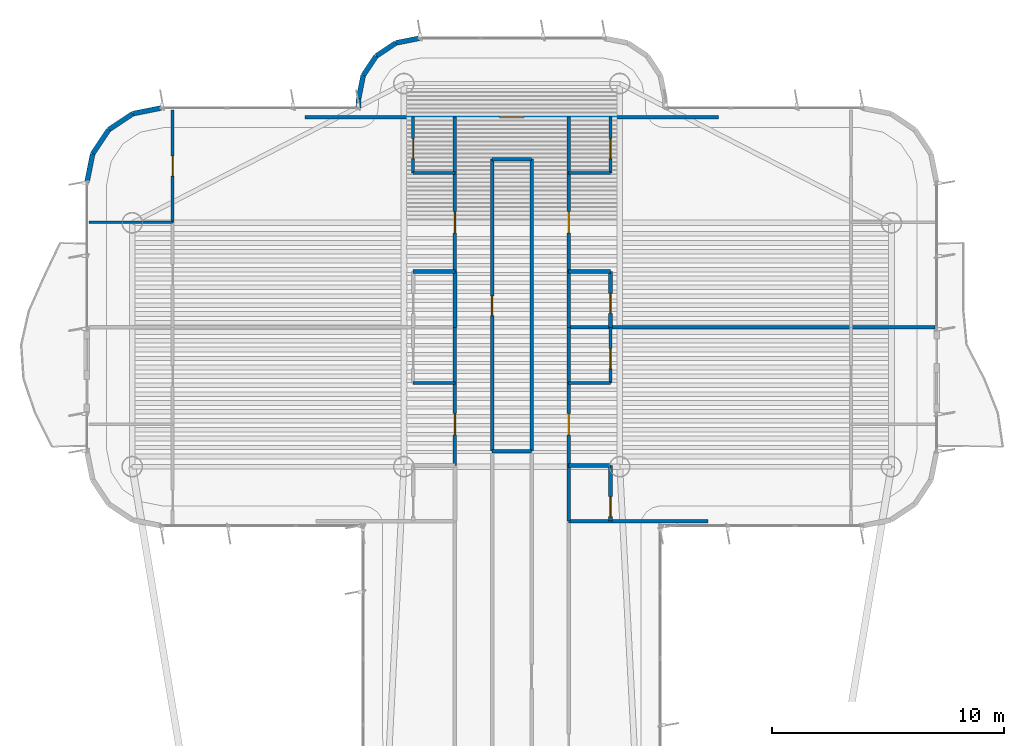
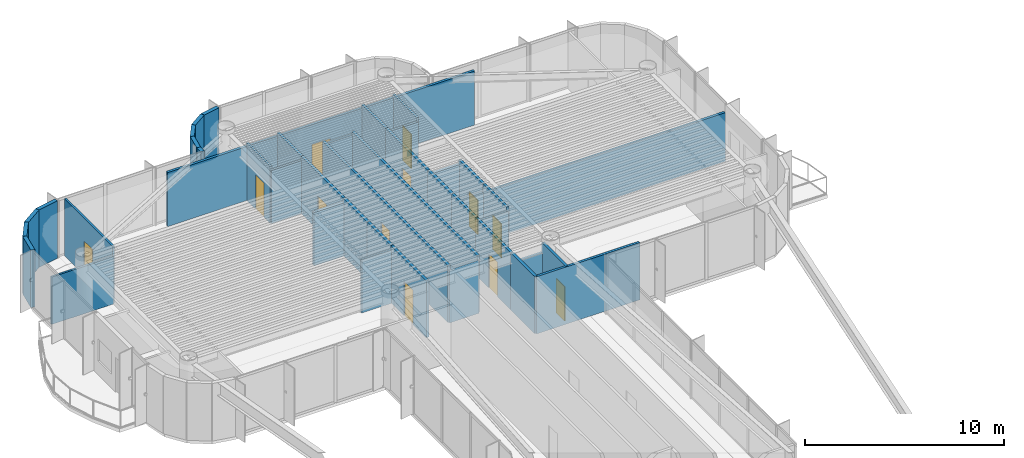
# One storey, part 12 of 16: 41 walls, 12 doors, 12 openings.
"""IFC4 building model written with IfcOpenShell, lengths in metres."""

from ifc_helpers import new_model, si_unit, direction, frame, frame_2d, origin, origin_2d, place, context, subcontext, project, spatial, rectangle, extrude, source, transform, mapped, material, layer, layer_set, type_object, element, fill, save


model = new_model("IFC4")

# Units and contexts
model_context = context("Model", 3, precision=1e-05, world=origin(), true_north=direction((0.0, 1.0)))
body_context = subcontext(model_context, "Body", "Model", "MODEL_VIEW")
ifc_project = project(units=[si_unit("LENGTHUNIT", "METRE"), si_unit("AREAUNIT", "SQUARE_METRE"), si_unit("VOLUMEUNIT", "CUBIC_METRE"), si_unit("PLANEANGLEUNIT", "RADIAN"), si_unit("MASSUNIT", "GRAM", prefix="KILO")], contexts=[model_context])

# Site, building, storey
site_placement = place(None, origin())
site = spatial("IfcSite", under=ifc_project, at=site_placement, CompositionType="ELEMENT")
building_placement = place(site_placement, origin())
building = spatial("IfcBuilding", under=site, at=building_placement, Name="Brelvock Crest Care Tower", CompositionType="ELEMENT")
storey_placement = place(building_placement, frame((0.0, 0.0, 230.580078125)))
storey = spatial("IfcBuildingStorey", under=building, at=storey_placement, Name="L58", CompositionType="ELEMENT", Elevation=230.580078125)

# Walls
ifc_material_1 = material(Name="Precast concrete N40 (40 MPa)", Category="concrete")
ifc_layer_1 = layer(ifc_material_1, 0.215087890625, Name="WL-EX2")
ifc_layer_set_1 = layer_set([ifc_layer_1], Name="Precast concrete N40 (40 MPa)")
wall_type_1 = type_object("IfcWallType", Name="WL-EX2", PredefinedType="SOLIDWALL", material=ifc_layer_set_1)
for number, where, z_axis, x_axis, name in (
    (1, (17.699951171875, 56.199951171875, 0.0), (0.0, 0.0, 1.0), (0.195138390419, 0.980775717779, 0.0), "L58 Rounded Corner Wall 18"),
    (2, (17.943603515625, 57.424560546875, 0.0), (0.0, 0.0, 1.0), (0.555557312883, 0.831478245117, 0.0), "L58 Rounded Corner Wall 19"),
    (3, (18.63720703125, 58.462646484375, 0.0), (0.0, 0.0, 1.0), (0.831387912822, 0.555692485475, 0.0), "L58 Rounded Corner Wall 20"),
    (4, (19.67529296875, 59.156494140625, 0.0), (0.0, 0.0, 1.0), (0.980813122964, 0.194950295773, 0.0), "L58 Rounded Corner Wall 21"),
):
    element("IfcWall", number, at=place(storey_placement, frame(where, z_axis=z_axis, x_axis=x_axis)), inside=storey, type_object=wall_type_1, Name=name, PredefinedType="SOLIDWALL", context=body_context, shape_type="SweptSolid", body=[
        extrude(rectangle(XDim=1.24853515625, YDim=0.215087890625, at=frame_2d((0.624267578125, 0.0))), origin(), (0.0, 0.0, 1.0), 3.530029296875),
    ])
wall_1_placement = place(storey_placement, frame((29.39990234375, 59.39990234375, 0.0), z_axis=(0.0, 0.0, 1.0), x_axis=(0.0, 1.0, 0.0)))
element("IfcWall", 5, at=wall_1_placement, inside=storey, type_object=wall_type_1, Name="L58 Rounded Corner Wall 23", PredefinedType="SOLIDWALL", context=body_context, shape_type="SweptSolid", body=[
    extrude(rectangle(XDim=0.400146484375, YDim=0.215087890625, at=frame_2d((0.2001953125, 0.0))), origin(), (0.0, 0.0, 1.0), 3.530029296875),
])
wall_2_placement = place(storey_placement, frame((29.39990234375, 59.800048828125, 0.0), z_axis=(0.0, 0.0, 1.0), x_axis=(0.195190360752, 0.980765376158, 0.0)))
element("IfcWall", 6, at=wall_2_placement, inside=storey, type_object=wall_type_1, Name="L58 Rounded Corner Wall 24", PredefinedType="SOLIDWALL", context=body_context, shape_type="SweptSolid", body=[
    extrude(rectangle(XDim=1.014404296875, YDim=0.215087890625, at=frame_2d((0.50732421875, 0.0))), origin(), (0.0, 0.0, 1.0), 3.530029296875),
])
wall_3_placement = place(storey_placement, frame((29.597900390625, 60.794921875, 0.0), z_axis=(0.0, 0.0, 1.0), x_axis=(0.555643898837, 0.831420385657, 0.0)))
element("IfcWall", 7, at=wall_3_placement, inside=storey, type_object=wall_type_1, Name="L58 Rounded Corner Wall 25", PredefinedType="SOLIDWALL", context=body_context, shape_type="SweptSolid", body=[
    extrude(rectangle(XDim=1.0146484375, YDim=0.215087890625, at=frame_2d((0.50732421875, 0.0))), origin(), (0.0, 0.0, 1.0), 3.530029296875),
])
wall_4_placement = place(storey_placement, frame((30.16162109375, 61.638427734375, 0.0), z_axis=(0.0, 0.0, 1.0), x_axis=(0.831346067305, 0.555755086685, 0.0)))
element("IfcWall", 8, at=wall_4_placement, inside=storey, type_object=wall_type_1, Name="L58 Rounded Corner Wall 26", PredefinedType="SOLIDWALL", context=body_context, shape_type="SweptSolid", body=[
    extrude(rectangle(XDim=1.014404296875, YDim=0.215087890625, at=frame_2d((0.50732421875, 0.0))), origin(), (0.0, 0.0, 1.0), 3.530029296875),
])
wall_5_placement = place(storey_placement, frame((31.0048828125, 62.2021484375, 0.0), z_axis=(0.0, 0.0, 1.0), x_axis=(0.980820570666, 0.194912821943, 0.0)))
element("IfcWall", 9, at=wall_5_placement, inside=storey, type_object=wall_type_1, Name="L58 Rounded Corner Wall 27", PredefinedType="SOLIDWALL", context=body_context, shape_type="SweptSolid", body=[
    extrude(rectangle(XDim=1.0146484375, YDim=0.215087890625, at=frame_2d((0.50732421875, 0.0))), origin(), (0.0, 0.0, 1.0), 3.530029296875),
])
ifc_material_2 = material(Name="Masonry Blockwork Acoustic Partition", Category="masonry")
ifc_layer_2 = layer(ifc_material_2, 0.14990234375, Name="WL-INT1")
ifc_layer_set_2 = layer_set([ifc_layer_2], Name="Masonry Blockwork Acoustic Partition")
wall_type_2 = type_object("IfcWallType", Name="WL-INT1", PredefinedType="PARTITIONING", material=ifc_layer_set_2)
wall_6_placement = place(storey_placement, frame((38.449951171875, 41.60009765625, 0.0), z_axis=(0.0, 0.0, 1.0), x_axis=(1.0, 0.0, 0.0)))
element("IfcWall", 10, at=wall_6_placement, inside=storey, type_object=wall_type_2, Name="L58 Interior Wall WL-BX-L58-FL-EF1-S", PredefinedType="PARTITIONING", context=body_context, shape_type="SweptSolid", body=[
    extrude(rectangle(XDim=5.993408203125, YDim=0.14990234375, at=frame_2d((2.99658203125, 0.0))), origin(), (0.0, 0.0, 1.0), 3.5),
])
wall_7_placement = place(storey_placement, frame((35.14990234375, 44.6201171875, 0.0), z_axis=(0.0, 0.0, 1.0), x_axis=(1.0, 0.0, 0.0)))
element("IfcWall", 11, at=wall_7_placement, inside=storey, type_object=wall_type_2, Name="L58 Interior Wall WL-BX-L58-ISKT-S", PredefinedType="PARTITIONING", context=body_context, shape_type="SweptSolid", body=[
    extrude(rectangle(XDim=1.7001953125, YDim=0.14990234375, at=frame_2d((0.85009765625, 0.0))), origin(), (0.0, 0.0, 1.0), 3.259033203125),
])
wall_8_placement = place(storey_placement, frame((38.449951171875, 49.951904296875, 0.0), z_axis=(0.0, 0.0, 1.0), x_axis=(1.0, 0.0, 0.0)))
element("IfcWall", 12, at=wall_8_placement, inside=storey, type_object=wall_type_2, Name="L58 Interior Wall WL-BX-L58-FL-EF1-N", PredefinedType="PARTITIONING", context=body_context, shape_type="SweptSolid", body=[
    extrude(rectangle(XDim=15.77001953125, YDim=0.14990234375, at=frame_2d((7.885009765625, 0.0))), origin(), (0.0, 0.0, 1.0), 2.98193359375),
])
wall_9_placement = place(storey_placement, frame((35.14990234375, 57.199951171875, 0.0), z_axis=(0.0, 0.0, 1.0), x_axis=(1.0, 0.0, 0.0)))
element("IfcWall", 13, at=wall_9_placement, inside=storey, type_object=wall_type_2, Name="L58 Interior Wall WL-BX-L58-ISKT-N", PredefinedType="PARTITIONING", context=body_context, shape_type="SweptSolid", body=[
    extrude(rectangle(XDim=1.7001953125, YDim=0.14990234375, at=frame_2d((0.85009765625, 0.0))), origin(), (0.0, 0.0, 1.0), 3.307861328125),
])

# Wall, opening, door
wall_10_placement = place(storey_placement, frame((27.10009765625, 59.0, 0.0), z_axis=(0.0, 0.0, 1.0), x_axis=(1.0, 0.0, 0.0)))
wall_10 = element("IfcWall", 14, at=wall_10_placement, inside=storey, type_object=wall_type_2, Name="L58 Interior Wall WL-RM-L58-NHUB", PredefinedType="PARTITIONING", context=body_context, shape_type="SweptSolid", body=[
    extrude(rectangle(XDim=17.7998046875, YDim=0.14990234375, at=frame_2d((8.89990234375, 0.0))), origin(), (0.0, 0.0, 1.0), 3.307861328125),
])
opening_1_placement = place(wall_10_placement, frame((8.375, 0.0, 0.0)))
opening_1 = element("IfcOpeningElement", 15, at=opening_1_placement, cuts=wall_10, Name="Opening CLD-1", PredefinedType="OPENING", context=body_context, shape_type="SweptSolid", body=[
    extrude(rectangle(XDim=1.050048828125, YDim=2.10009765625, at=origin_2d()), frame((0.52490234375, 0.0849609375, 1.050048828125), z_axis=(0.0, -1.0, 0.0), x_axis=(1.0, 0.0, 0.0)), (0.0, 0.0, 1.0), 0.169921875),
])
ifc_material_3 = material(Name="Engineered Hardwood Timber", Category="wood")
door_type_1 = type_object("IfcDoorType", Name="DR-CLN1", OperationType="NOTDEFINED", PredefinedType="DOOR", material=ifc_material_3)
shared_shape_1 = source(origin(), body_context, "Body", "SweptSolid", [
    extrude(rectangle(XDim=1.050048828125, YDim=2.10009765625, at=origin_2d()), frame((0.52490234375, 0.02490234375, 1.050048828125), z_axis=(0.0, -1.0, 0.0), x_axis=(1.0, 0.0, 0.0)), (0.0, 0.0, 1.0), 0.050048828125),
])
door_1_placement = place(opening_1_placement, origin())
door_1 = element("IfcDoor", 16, at=door_1_placement, inside=storey, type_object=door_type_1, Name="L58 North Crest Conservatory Lounge Door NHUB", OperationType="SINGLE_SWING_LEFT", OverallHeight=2.10009765625, OverallWidth=1.050048828125, PredefinedType="DOOR", context=body_context, shape_type="MappedRepresentation", body=[
    mapped(shared_shape_1, transform((0.0, 0.0, 0.0), x_axis=(1.0, 0.0, 0.0), y_axis=(0.0, 1.0, 0.0), z_axis=(0.0, 0.0, 1.0), scale=1.0)),
])
fill(opening_1, door_1)

wall_11_placement = place(storey_placement, frame((33.550048828125, 44.0, 0.0), z_axis=(0.0, 0.0, 1.0), x_axis=(0.0, 1.0, 0.0)))
wall_11 = element("IfcWall", 17, at=wall_11_placement, inside=storey, type_object=wall_type_2, Name="L58 Interior Wall WL-UENT-L58-WF1", PredefinedType="PARTITIONING", context=body_context, shape_type="SweptSolid", body=[
    extrude(rectangle(XDim=3.552001953125, YDim=0.14990234375, at=frame_2d((1.77587890625, 0.0))), origin(), (0.0, 0.0, 1.0), 3.5),
])
opening_2_placement = place(wall_11_placement, frame((1.31591796875, 0.0, 0.0)))
opening_2 = element("IfcOpeningElement", 18, at=opening_2_placement, cuts=wall_11, Name="Opening AD-1", PredefinedType="OPENING", context=body_context, shape_type="SweptSolid", body=[
    extrude(rectangle(XDim=0.919921875, YDim=2.10009765625, at=origin_2d()), frame((0.4599609375, 0.0849609375, 1.050048828125), z_axis=(0.0, -1.0, 0.0), x_axis=(1.0, 0.0, 0.0)), (0.0, 0.0, 1.0), 0.169921875),
])
door_type_2 = type_object("IfcDoorType", Name="DR-APT1", OperationType="NOTDEFINED", PredefinedType="DOOR", material=ifc_material_3)
shared_shape_2 = source(origin(), body_context, "Body", "SweptSolid", [
    extrude(rectangle(XDim=0.919921875, YDim=2.10009765625, at=origin_2d()), frame((0.4599609375, 0.02490234375, 1.050048828125), z_axis=(0.0, -1.0, 0.0), x_axis=(1.0, 0.0, 0.0)), (0.0, 0.0, 1.0), 0.050048828125),
])
door_2_placement = place(opening_2_placement, origin())
door_2 = element("IfcDoor", 19, at=door_2_placement, inside=storey, type_object=door_type_2, Name="L58 Apartment Entrance WF1", OperationType="SINGLE_SWING_LEFT", OverallHeight=2.10009765625, OverallWidth=0.919921875, PredefinedType="DOOR", context=body_context, shape_type="MappedRepresentation", body=[
    mapped(shared_shape_2, transform((0.0, 0.0, 0.0), x_axis=(1.0, 0.0, 0.0), y_axis=(0.0, 1.0, 0.0), z_axis=(0.0, 0.0, 1.0), scale=1.0)),
])
fill(opening_2, door_2)

# Wall
wall_12_placement = place(storey_placement, frame((33.550048828125, 47.552001953125, 0.0), z_axis=(0.0, 0.0, 1.0), x_axis=(0.0, 1.0, 0.0)))
element("IfcWall", 20, at=wall_12_placement, inside=storey, type_object=wall_type_2, Name="L58 Interior Wall WL-UCK-L58-WF1", PredefinedType="PARTITIONING", context=body_context, shape_type="SweptSolid", body=[
    extrude(rectangle(XDim=2.39990234375, YDim=0.14990234375, at=frame_2d((1.199951171875, 0.0))), origin(), (0.0, 0.0, 1.0), 3.5),
])

# Wall, opening, door
wall_13_placement = place(storey_placement, frame((33.550048828125, 52.35205078125, 0.0), z_axis=(0.0, 0.0, 1.0), x_axis=(0.0, 1.0, 0.0)))
wall_13 = element("IfcWall", 21, at=wall_13_placement, inside=storey, type_object=wall_type_2, Name="L58 Interior Wall WL-UENT-L58-WF2", PredefinedType="PARTITIONING", context=body_context, shape_type="SweptSolid", body=[
    extrude(rectangle(XDim=4.248046875, YDim=0.14990234375, at=frame_2d((2.1240234375, 0.0))), origin(), (0.0, 0.0, 1.0), 3.5),
])
opening_3_placement = place(wall_13_placement, frame((1.6640625, 0.0, 0.0)))
opening_3 = element("IfcOpeningElement", 22, at=opening_3_placement, cuts=wall_13, Name="Opening AD-1", PredefinedType="OPENING", context=body_context, shape_type="SweptSolid", body=[
    extrude(rectangle(XDim=0.919921875, YDim=2.10009765625, at=origin_2d()), frame((0.4599609375, 0.0849609375, 1.050048828125), z_axis=(0.0, -1.0, 0.0), x_axis=(1.0, 0.0, 0.0)), (0.0, 0.0, 1.0), 0.169921875),
])
door_3_placement = place(opening_3_placement, origin())
door_3 = element("IfcDoor", 23, at=door_3_placement, inside=storey, type_object=door_type_2, Name="L58 Apartment Entrance WF2", OperationType="SINGLE_SWING_LEFT", OverallHeight=2.10009765625, OverallWidth=0.919921875, PredefinedType="DOOR", context=body_context, shape_type="MappedRepresentation", body=[
    mapped(shared_shape_2, transform((0.0, 0.0, 0.0), x_axis=(1.0, 0.0, 0.0), y_axis=(0.0, 1.0, 0.0), z_axis=(0.0, 0.0, 1.0), scale=1.0)),
])
fill(opening_3, door_3)

# Wall
wall_14_placement = place(storey_placement, frame((33.550048828125, 56.60009765625, 0.0), z_axis=(0.0, 0.0, 1.0), x_axis=(0.0, 1.0, 0.0)))
element("IfcWall", 24, at=wall_14_placement, inside=storey, type_object=wall_type_2, Name="L58 Interior Wall WL-UCK-L58-WF2", PredefinedType="PARTITIONING", context=body_context, shape_type="SweptSolid", body=[
    extrude(rectangle(XDim=2.39990234375, YDim=0.14990234375, at=frame_2d((1.199951171875, 0.0))), origin(), (0.0, 0.0, 1.0), 3.5),
])

# Wall, opening, door
wall_15_placement = place(storey_placement, frame((35.14990234375, 44.6201171875, 0.0), z_axis=(0.0, 0.0, 1.0), x_axis=(0.0, 1.0, 0.0)))
wall_15 = element("IfcWall", 25, at=wall_15_placement, inside=storey, type_object=wall_type_2, Name="L58 Interior Wall WL-RM-L58-ISKT", PredefinedType="PARTITIONING", context=body_context, shape_type="SweptSolid", body=[
    extrude(rectangle(XDim=12.579833984375, YDim=0.14990234375, at=frame_2d((6.2900390625, 0.0))), origin(), (0.0, 0.0, 1.0), 3.5),
])
opening_4_placement = place(wall_15_placement, frame((5.830078125, 0.0, 0.0)))
opening_4 = element("IfcOpeningElement", 26, at=opening_4_placement, cuts=wall_15, Name="Opening ID-1", PredefinedType="OPENING", context=body_context, shape_type="SweptSolid", body=[
    extrude(rectangle(XDim=0.860107421875, YDim=2.10009765625, at=origin_2d()), frame((0.43017578125, 0.0849609375, 1.050048828125), z_axis=(0.0, -1.0, 0.0), x_axis=(1.0, 0.0, 0.0)), (0.0, 0.0, 1.0), 0.169921875),
])
door_type_3 = type_object("IfcDoorType", Name="DR-INT1", OperationType="NOTDEFINED", PredefinedType="DOOR", material=ifc_material_3)
shared_shape_3 = source(origin(), body_context, "Body", "SweptSolid", [
    extrude(rectangle(XDim=0.860107421875, YDim=2.10009765625, at=origin_2d()), frame((0.43017578125, 0.02490234375, 1.050048828125), z_axis=(0.0, -1.0, 0.0), x_axis=(1.0, 0.0, 0.0)), (0.0, 0.0, 1.0), 0.050048828125),
])
door_4_placement = place(opening_4_placement, origin())
door_4 = element("IfcDoor", 27, at=door_4_placement, inside=storey, type_object=door_type_3, Name="L58 Communal Tea and Nutrition Pantry Door ISKT", OperationType="SINGLE_SWING_LEFT", OverallHeight=2.10009765625, OverallWidth=0.860107421875, PredefinedType="DOOR", context=body_context, shape_type="MappedRepresentation", body=[
    mapped(shared_shape_3, transform((0.0, 0.0, 0.0), x_axis=(1.0, 0.0, 0.0), y_axis=(0.0, 1.0, 0.0), z_axis=(0.0, 0.0, 1.0), scale=1.0)),
])
fill(opening_4, door_4)

# Wall
wall_16_placement = place(storey_placement, frame((36.85009765625, 44.6201171875, 0.0), z_axis=(0.0, 0.0, 1.0), x_axis=(0.0, 1.0, 0.0)))
element("IfcWall", 28, at=wall_16_placement, inside=storey, type_object=wall_type_2, Name="L58 Interior Wall WL-BX-L58-ISKT-E", PredefinedType="PARTITIONING", context=body_context, shape_type="SweptSolid", body=[
    extrude(rectangle(XDim=12.579833984375, YDim=0.14990234375, at=frame_2d((6.2900390625, 0.0))), origin(), (0.0, 0.0, 1.0), 3.5),
])

# Wall, opening, door
wall_17_placement = place(storey_placement, frame((38.449951171875, 44.0, 0.0), z_axis=(0.0, 0.0, 1.0), x_axis=(0.0, 1.0, 0.0)))
wall_17 = element("IfcWall", 29, at=wall_17_placement, inside=storey, type_object=wall_type_2, Name="L58 Interior Wall WL-UENT-L58-EF1", PredefinedType="PARTITIONING", context=body_context, shape_type="SweptSolid", body=[
    extrude(rectangle(XDim=3.552001953125, YDim=0.14990234375, at=frame_2d((1.77587890625, 0.0))), origin(), (0.0, 0.0, 1.0), 3.5),
])
opening_5_placement = place(wall_17_placement, frame((1.31591796875, 0.0, 0.0)))
opening_5 = element("IfcOpeningElement", 30, at=opening_5_placement, cuts=wall_17, Name="Opening AD-1", PredefinedType="OPENING", context=body_context, shape_type="SweptSolid", body=[
    extrude(rectangle(XDim=0.919921875, YDim=2.10009765625, at=origin_2d()), frame((0.4599609375, 0.0849609375, 1.050048828125), z_axis=(0.0, -1.0, 0.0), x_axis=(1.0, 0.0, 0.0)), (0.0, 0.0, 1.0), 0.169921875),
])
door_5_placement = place(opening_5_placement, origin())
door_5 = element("IfcDoor", 31, at=door_5_placement, inside=storey, type_object=door_type_2, Name="L58 Apartment Entrance EF1", OperationType="SINGLE_SWING_LEFT", OverallHeight=2.10009765625, OverallWidth=0.919921875, PredefinedType="DOOR", context=body_context, shape_type="MappedRepresentation", body=[
    mapped(shared_shape_2, transform((0.0, 0.0, 0.0), x_axis=(1.0, 0.0, 0.0), y_axis=(0.0, 1.0, 0.0), z_axis=(0.0, 0.0, 1.0), scale=1.0)),
])
fill(opening_5, door_5)

# Wall
wall_18_placement = place(storey_placement, frame((38.449951171875, 47.552001953125, 0.0), z_axis=(0.0, 0.0, 1.0), x_axis=(0.0, 1.0, 0.0)))
element("IfcWall", 32, at=wall_18_placement, inside=storey, type_object=wall_type_2, Name="L58 Interior Wall WL-UCK-L58-EF1", PredefinedType="PARTITIONING", context=body_context, shape_type="SweptSolid", body=[
    extrude(rectangle(XDim=2.39990234375, YDim=0.14990234375, at=frame_2d((1.199951171875, 0.0))), origin(), (0.0, 0.0, 1.0), 3.5),
])

# Wall, opening, door
wall_19_placement = place(storey_placement, frame((38.449951171875, 52.35205078125, 0.0), z_axis=(0.0, 0.0, 1.0), x_axis=(0.0, 1.0, 0.0)))
wall_19 = element("IfcWall", 33, at=wall_19_placement, inside=storey, type_object=wall_type_2, Name="L58 Interior Wall WL-UENT-L58-EF2", PredefinedType="PARTITIONING", context=body_context, shape_type="SweptSolid", body=[
    extrude(rectangle(XDim=4.248046875, YDim=0.14990234375, at=frame_2d((2.1240234375, 0.0))), origin(), (0.0, 0.0, 1.0), 3.5),
])
opening_6_placement = place(wall_19_placement, frame((1.6640625, 0.0, 0.0)))
opening_6 = element("IfcOpeningElement", 34, at=opening_6_placement, cuts=wall_19, Name="Opening AD-1", PredefinedType="OPENING", context=body_context, shape_type="SweptSolid", body=[
    extrude(rectangle(XDim=0.919921875, YDim=2.10009765625, at=origin_2d()), frame((0.4599609375, 0.0849609375, 1.050048828125), z_axis=(0.0, -1.0, 0.0), x_axis=(1.0, 0.0, 0.0)), (0.0, 0.0, 1.0), 0.169921875),
])
door_6_placement = place(opening_6_placement, origin())
door_6 = element("IfcDoor", 35, at=door_6_placement, inside=storey, type_object=door_type_2, Name="L58 Apartment Entrance EF2", OperationType="SINGLE_SWING_LEFT", OverallHeight=2.10009765625, OverallWidth=0.919921875, PredefinedType="DOOR", context=body_context, shape_type="MappedRepresentation", body=[
    mapped(shared_shape_2, transform((0.0, 0.0, 0.0), x_axis=(1.0, 0.0, 0.0), y_axis=(0.0, 1.0, 0.0), z_axis=(0.0, 0.0, 1.0), scale=1.0)),
])
fill(opening_6, door_6)

# Walls
wall_20_placement = place(storey_placement, frame((38.449951171875, 56.60009765625, 0.0), z_axis=(0.0, 0.0, 1.0), x_axis=(0.0, 1.0, 0.0)))
element("IfcWall", 36, at=wall_20_placement, inside=storey, type_object=wall_type_2, Name="L58 Interior Wall WL-UCK-L58-EF2", PredefinedType="PARTITIONING", context=body_context, shape_type="SweptSolid", body=[
    extrude(rectangle(XDim=2.39990234375, YDim=0.14990234375, at=frame_2d((1.199951171875, 0.0))), origin(), (0.0, 0.0, 1.0), 3.5),
])
ifc_material_4 = material(Name="Gypsum Plasterboard Partition", Category="gypsum")
ifc_layer_3 = layer(ifc_material_4, 0.1201171875, Name="WL-INT2")
ifc_layer_set_3 = layer_set([ifc_layer_3], Name="Gypsum Plasterboard Partition")
wall_type_3 = type_object("IfcWallType", Name="WL-INT2", PredefinedType="PARTITIONING", material=ifc_layer_set_3)
for number, where, z_axis, x_axis, name in (
    (37, (31.75, 47.552001953125, 0.0), (0.0, 0.0, 1.0), (1.0, 0.0, 0.0), "L58 Interior Wall WL-UKIT2-L58-WF1"),
    (38, (38.449951171875, 47.552001953125, 0.0), (0.0, 0.0, 1.0), (1.0, 0.0, 0.0), "L58 Interior Wall WL-UKIT2-L58-EF1"),
):
    element("IfcWall", number, at=place(storey_placement, frame(where, z_axis=z_axis, x_axis=x_axis)), inside=storey, type_object=wall_type_3, Name=name, PredefinedType="PARTITIONING", context=body_context, shape_type="SweptSolid", body=[
        extrude(rectangle(XDim=1.800048828125, YDim=0.1201171875, at=frame_2d((0.89990234375, 0.0))), origin(), (0.0, 0.0, 1.0), 3.259033203125),
    ])
wall_21_placement = place(storey_placement, frame((17.780029296875, 54.47607421875, 0.0), z_axis=(0.0, 0.0, 1.0), x_axis=(1.0, 0.0, 0.0)))
element("IfcWall", 39, at=wall_21_placement, inside=storey, type_object=wall_type_3, Name="L58 Interior Wall WL-UBSP-L58-WF2", PredefinedType="PARTITIONING", context=body_context, shape_type="SweptSolid", body=[
    extrude(rectangle(XDim=3.60986328125, YDim=0.1201171875, at=frame_2d((1.804931640625, 0.0))), origin(), (0.0, 0.0, 1.0), 2.90283203125),
])
for number, where, z_axis, x_axis, name in (
    (40, (31.75, 56.60009765625, 0.0), (0.0, 0.0, 1.0), (1.0, 0.0, 0.0), "L58 Interior Wall WL-UKIT2-L58-WF2"),
    (41, (38.449951171875, 56.60009765625, 0.0), (0.0, 0.0, 1.0), (1.0, 0.0, 0.0), "L58 Interior Wall WL-UKIT2-L58-EF2"),
):
    element("IfcWall", number, at=place(storey_placement, frame(where, z_axis=z_axis, x_axis=x_axis)), inside=storey, type_object=wall_type_3, Name=name, PredefinedType="PARTITIONING", context=body_context, shape_type="SweptSolid", body=[
        extrude(rectangle(XDim=1.800048828125, YDim=0.1201171875, at=frame_2d((0.89990234375, 0.0))), origin(), (0.0, 0.0, 1.0), 3.259033203125),
    ])

# Wall, opening, door
wall_22_placement = place(storey_placement, frame((21.389892578125, 54.47607421875, 0.0), z_axis=(0.0, 0.0, 1.0), x_axis=(0.0, 1.0, 0.0)))
wall_22 = element("IfcWall", 42, at=wall_22_placement, inside=storey, type_object=wall_type_3, Name="L58 Interior Wall WL-UBD2-L58-WF2", PredefinedType="PARTITIONING", context=body_context, shape_type="SweptSolid", body=[
    extrude(rectangle(XDim=4.84423828125, YDim=0.1201171875, at=frame_2d((2.422119140625, 0.0))), origin(), (0.0, 0.0, 1.0), 3.5),
])
opening_7_placement = place(wall_22_placement, frame((1.991943359375, 0.0, 0.0)))
opening_7 = element("IfcOpeningElement", 43, at=opening_7_placement, cuts=wall_22, Name="Opening ID-1", PredefinedType="OPENING", context=body_context, shape_type="SweptSolid", body=[
    extrude(rectangle(XDim=0.860107421875, YDim=2.10009765625, at=origin_2d()), frame((0.43017578125, 0.070068359375, 1.050048828125), z_axis=(0.0, -1.0, 0.0), x_axis=(1.0, 0.0, 0.0)), (0.0, 0.0, 1.0), 0.14013671875),
])
door_7_placement = place(opening_7_placement, origin())
door_7 = element("IfcDoor", 44, at=door_7_placement, inside=storey, type_object=door_type_3, Name="L58 Second Room Door WF2", OperationType="SINGLE_SWING_LEFT", OverallHeight=2.10009765625, OverallWidth=0.860107421875, PredefinedType="DOOR", context=body_context, shape_type="MappedRepresentation", body=[
    mapped(shared_shape_3, transform((0.0, 0.0, 0.0), x_axis=(1.0, 0.0, 0.0), y_axis=(0.0, 1.0, 0.0), z_axis=(0.0, 0.0, 1.0), scale=1.0)),
])
fill(opening_7, door_7)

wall_23_placement = place(storey_placement, frame((31.75, 56.60009765625, 0.0), z_axis=(0.0, 0.0, 1.0), x_axis=(0.0, 1.0, 0.0)))
wall_23 = element("IfcWall", 45, at=wall_23_placement, inside=storey, type_object=wall_type_3, Name="L58 Interior Wall WL-UKIT1-L58-WF2", PredefinedType="PARTITIONING", context=body_context, shape_type="SweptSolid", body=[
    extrude(rectangle(XDim=2.39990234375, YDim=0.1201171875, at=frame_2d((1.199951171875, 0.0))), origin(), (0.0, 0.0, 1.0), 3.5),
])
opening_8_placement = place(wall_23_placement, frame((0.6201171875, 0.0, 0.0)))
opening_8 = element("IfcOpeningElement", 46, at=opening_8_placement, cuts=wall_23, Name="Opening ID-1", PredefinedType="OPENING", context=body_context, shape_type="SweptSolid", body=[
    extrude(rectangle(XDim=0.860107421875, YDim=2.10009765625, at=origin_2d()), frame((0.43017578125, 0.070068359375, 1.050048828125), z_axis=(0.0, -1.0, 0.0), x_axis=(1.0, 0.0, 0.0)), (0.0, 0.0, 1.0), 0.14013671875),
])
door_8_placement = place(opening_8_placement, origin())
door_8 = element("IfcDoor", 47, at=door_8_placement, inside=storey, type_object=door_type_3, Name="L58 Kitchen Door WF2", OperationType="SINGLE_SWING_LEFT", OverallHeight=2.10009765625, OverallWidth=0.860107421875, PredefinedType="DOOR", context=body_context, shape_type="MappedRepresentation", body=[
    mapped(shared_shape_3, transform((0.0, 0.0, 0.0), x_axis=(1.0, 0.0, 0.0), y_axis=(0.0, 1.0, 0.0), z_axis=(0.0, 0.0, 1.0), scale=1.0)),
])
fill(opening_8, door_8)

wall_24_placement = place(storey_placement, frame((40.25, 47.552001953125, 0.0), z_axis=(0.0, 0.0, 1.0), x_axis=(0.0, 1.0, 0.0)))
wall_24 = element("IfcWall", 48, at=wall_24_placement, inside=storey, type_object=wall_type_3, Name="L58 Interior Wall WL-UKIT1-L58-EF1", PredefinedType="PARTITIONING", context=body_context, shape_type="SweptSolid", body=[
    extrude(rectangle(XDim=2.39990234375, YDim=0.1201171875, at=frame_2d((1.199951171875, 0.0))), origin(), (0.0, 0.0, 1.0), 3.5),
])
opening_9_placement = place(wall_24_placement, frame((0.6201171875, 0.0, 0.0)))
opening_9 = element("IfcOpeningElement", 49, at=opening_9_placement, cuts=wall_24, Name="Opening ID-1", PredefinedType="OPENING", context=body_context, shape_type="SweptSolid", body=[
    extrude(rectangle(XDim=0.860107421875, YDim=2.10009765625, at=origin_2d()), frame((0.43017578125, 0.070068359375, 1.050048828125), z_axis=(0.0, -1.0, 0.0), x_axis=(1.0, 0.0, 0.0)), (0.0, 0.0, 1.0), 0.14013671875),
])
door_9_placement = place(opening_9_placement, origin())
door_9 = element("IfcDoor", 50, at=door_9_placement, inside=storey, type_object=door_type_3, Name="L58 Kitchen Door EF1", OperationType="SINGLE_SWING_RIGHT", OverallHeight=2.10009765625, OverallWidth=0.860107421875, PredefinedType="DOOR", context=body_context, shape_type="MappedRepresentation", body=[
    mapped(shared_shape_3, transform((0.0, 0.0, 0.0), x_axis=(1.0, 0.0, 0.0), y_axis=(0.0, 1.0, 0.0), z_axis=(0.0, 0.0, 1.0), scale=1.0)),
])
fill(opening_9, door_9)

wall_25_placement = place(storey_placement, frame((40.25, 56.60009765625, 0.0), z_axis=(0.0, 0.0, 1.0), x_axis=(0.0, 1.0, 0.0)))
wall_25 = element("IfcWall", 51, at=wall_25_placement, inside=storey, type_object=wall_type_3, Name="L58 Interior Wall WL-UKIT1-L58-EF2", PredefinedType="PARTITIONING", context=body_context, shape_type="SweptSolid", body=[
    extrude(rectangle(XDim=2.39990234375, YDim=0.1201171875, at=frame_2d((1.199951171875, 0.0))), origin(), (0.0, 0.0, 1.0), 3.5),
])
opening_10_placement = place(wall_25_placement, frame((0.6201171875, 0.0, 0.0)))
opening_10 = element("IfcOpeningElement", 52, at=opening_10_placement, cuts=wall_25, Name="Opening ID-1", PredefinedType="OPENING", context=body_context, shape_type="SweptSolid", body=[
    extrude(rectangle(XDim=0.860107421875, YDim=2.10009765625, at=origin_2d()), frame((0.43017578125, 0.070068359375, 1.050048828125), z_axis=(0.0, -1.0, 0.0), x_axis=(1.0, 0.0, 0.0)), (0.0, 0.0, 1.0), 0.14013671875),
])
door_10_placement = place(opening_10_placement, origin())
door_10 = element("IfcDoor", 53, at=door_10_placement, inside=storey, type_object=door_type_3, Name="L58 Kitchen Door EF2", OperationType="SINGLE_SWING_RIGHT", OverallHeight=2.10009765625, OverallWidth=0.860107421875, PredefinedType="DOOR", context=body_context, shape_type="MappedRepresentation", body=[
    mapped(shared_shape_3, transform((0.0, 0.0, 0.0), x_axis=(1.0, 0.0, 0.0), y_axis=(0.0, 1.0, 0.0), z_axis=(0.0, 0.0, 1.0), scale=1.0)),
])
fill(opening_10, door_10)

# Walls
ifc_layer_4 = layer(ifc_material_4, 0.159912109375, Name="WL-PLM1")
ifc_layer_set_4 = layer_set([ifc_layer_4], Name="Gypsum Plasterboard Partition")
wall_type_4 = type_object("IfcWallType", Name="WL-PLM1", PredefinedType="PLUMBINGWALL", material=ifc_layer_set_4)
wall_26_placement = place(storey_placement, frame((38.449951171875, 44.0, 0.0), z_axis=(0.0, 0.0, 1.0), x_axis=(1.0, 0.0, 0.0)))
element("IfcWall", 54, at=wall_26_placement, inside=storey, type_object=wall_type_4, Name="L58 Interior Wall WL-UBTH2-L58-EF1", PredefinedType="PLUMBINGWALL", context=body_context, shape_type="SweptSolid", body=[
    extrude(rectangle(XDim=1.800048828125, YDim=0.159912109375, at=frame_2d((0.89990234375, 0.0))), origin(), (0.0, 0.0, 1.0), 2.90283203125),
])
for number, where, z_axis, x_axis, name in (
    (55, (31.75, 52.35205078125, 0.0), (0.0, 0.0, 1.0), (1.0, 0.0, 0.0), "L58 Interior Wall WL-UBTH2-L58-WF2"),
    (56, (38.449951171875, 52.35205078125, 0.0), (0.0, 0.0, 1.0), (1.0, 0.0, 0.0), "L58 Interior Wall WL-UBTH2-L58-EF2"),
):
    element("IfcWall", number, at=place(storey_placement, frame(where, z_axis=z_axis, x_axis=x_axis)), inside=storey, type_object=wall_type_4, Name=name, PredefinedType="PLUMBINGWALL", context=body_context, shape_type="SweptSolid", body=[
        extrude(rectangle(XDim=1.800048828125, YDim=0.159912109375, at=frame_2d((0.89990234375, 0.0))), origin(), (0.0, 0.0, 1.0), 3.259033203125),
    ])
wall_27_placement = place(storey_placement, frame((33.550048828125, 49.951904296875, 0.0), z_axis=(0.0, 0.0, 1.0), x_axis=(0.0, 1.0, 0.0)))
element("IfcWall", 57, at=wall_27_placement, inside=storey, type_object=wall_type_4, Name="L58 Interior Wall WL-UCB-L58-WF2", PredefinedType="PLUMBINGWALL", context=body_context, shape_type="SweptSolid", body=[
    extrude(rectangle(XDim=2.400146484375, YDim=0.159912109375, at=frame_2d((1.2001953125, 0.0))), origin(), (0.0, 0.0, 1.0), 3.5),
])
wall_28_placement = place(storey_placement, frame((38.449951171875, 41.60009765625, 0.0), z_axis=(0.0, 0.0, 1.0), x_axis=(0.0, 1.0, 0.0)))
element("IfcWall", 58, at=wall_28_placement, inside=storey, type_object=wall_type_4, Name="L58 Interior Wall WL-UCB-L58-EF1", PredefinedType="PLUMBINGWALL", context=body_context, shape_type="SweptSolid", body=[
    extrude(rectangle(XDim=2.39990234375, YDim=0.159912109375, at=frame_2d((1.199951171875, 0.0))), origin(), (0.0, 0.0, 1.0), 3.5),
])
wall_29_placement = place(storey_placement, frame((38.449951171875, 49.951904296875, 0.0), z_axis=(0.0, 0.0, 1.0), x_axis=(0.0, 1.0, 0.0)))
element("IfcWall", 59, at=wall_29_placement, inside=storey, type_object=wall_type_4, Name="L58 Interior Wall WL-UCB-L58-EF2", PredefinedType="PLUMBINGWALL", context=body_context, shape_type="SweptSolid", body=[
    extrude(rectangle(XDim=2.400146484375, YDim=0.159912109375, at=frame_2d((1.2001953125, 0.0))), origin(), (0.0, 0.0, 1.0), 3.5),
])

# Wall, opening, door
wall_30_placement = place(storey_placement, frame((40.25, 41.60009765625, 0.0), z_axis=(0.0, 0.0, 1.0), x_axis=(0.0, 1.0, 0.0)))
wall_30 = element("IfcWall", 60, at=wall_30_placement, inside=storey, type_object=wall_type_4, Name="L58 Interior Wall WL-UBTH1-L58-EF1", PredefinedType="PLUMBINGWALL", context=body_context, shape_type="SweptSolid", body=[
    extrude(rectangle(XDim=2.39990234375, YDim=0.159912109375, at=frame_2d((1.199951171875, 0.0))), origin(), (0.0, 0.0, 1.0), 3.5),
])
opening_11_placement = place(wall_30_placement, frame((0.199951171875, 0.0, 0.0)))
opening_11 = element("IfcOpeningElement", 61, at=opening_11_placement, cuts=wall_30, Name="Opening WD-1", PredefinedType="OPENING", context=body_context, shape_type="SweptSolid", body=[
    extrude(rectangle(XDim=0.860107421875, YDim=2.10009765625, at=origin_2d()), frame((0.43017578125, 0.08984375, 1.050048828125), z_axis=(0.0, -1.0, 0.0), x_axis=(1.0, 0.0, 0.0)), (0.0, 0.0, 1.0), 0.179931640625),
])
door_type_4 = type_object("IfcDoorType", Name="DR-WC1", OperationType="NOTDEFINED", PredefinedType="DOOR", material=ifc_material_3)
shared_shape_4 = source(origin(), body_context, "Body", "SweptSolid", [
    extrude(rectangle(XDim=0.860107421875, YDim=2.10009765625, at=origin_2d()), frame((0.43017578125, 0.02490234375, 1.050048828125), z_axis=(0.0, -1.0, 0.0), x_axis=(1.0, 0.0, 0.0)), (0.0, 0.0, 1.0), 0.050048828125),
])
door_11_placement = place(opening_11_placement, origin())
door_11 = element("IfcDoor", 62, at=door_11_placement, inside=storey, type_object=door_type_4, Name="L58 Bathroom Door EF1", OperationType="SINGLE_SWING_LEFT", OverallHeight=2.10009765625, OverallWidth=0.860107421875, PredefinedType="DOOR", context=body_context, shape_type="MappedRepresentation", body=[
    mapped(shared_shape_4, transform((0.0, 0.0, 0.0), x_axis=(1.0, 0.0, 0.0), y_axis=(0.0, 1.0, 0.0), z_axis=(0.0, 0.0, 1.0), scale=1.0)),
])
fill(opening_11, door_11)

wall_31_placement = place(storey_placement, frame((40.25, 49.951904296875, 0.0), z_axis=(0.0, 0.0, 1.0), x_axis=(0.0, 1.0, 0.0)))
wall_31 = element("IfcWall", 63, at=wall_31_placement, inside=storey, type_object=wall_type_4, Name="L58 Interior Wall WL-UBTH1-L58-EF2", PredefinedType="PLUMBINGWALL", context=body_context, shape_type="SweptSolid", body=[
    extrude(rectangle(XDim=2.400146484375, YDim=0.159912109375, at=frame_2d((1.2001953125, 0.0))), origin(), (0.0, 0.0, 1.0), 3.5),
])
opening_12_placement = place(wall_31_placement, frame((0.60009765625, 0.0, 0.0)))
opening_12 = element("IfcOpeningElement", 64, at=opening_12_placement, cuts=wall_31, Name="Opening WD-1", PredefinedType="OPENING", context=body_context, shape_type="SweptSolid", body=[
    extrude(rectangle(XDim=0.860107421875, YDim=2.10009765625, at=origin_2d()), frame((0.43017578125, 0.08984375, 1.050048828125), z_axis=(0.0, -1.0, 0.0), x_axis=(1.0, 0.0, 0.0)), (0.0, 0.0, 1.0), 0.179931640625),
])
door_12_placement = place(opening_12_placement, origin())
door_12 = element("IfcDoor", 65, at=door_12_placement, inside=storey, type_object=door_type_4, Name="L58 Bathroom Door EF2", OperationType="SINGLE_SWING_LEFT", OverallHeight=2.10009765625, OverallWidth=0.860107421875, PredefinedType="DOOR", context=body_context, shape_type="MappedRepresentation", body=[
    mapped(shared_shape_4, transform((0.0, 0.0, 0.0), x_axis=(1.0, 0.0, 0.0), y_axis=(0.0, 1.0, 0.0), z_axis=(0.0, 0.0, 1.0), scale=1.0)),
])
fill(opening_12, door_12)

save(model, "model.ifc")
